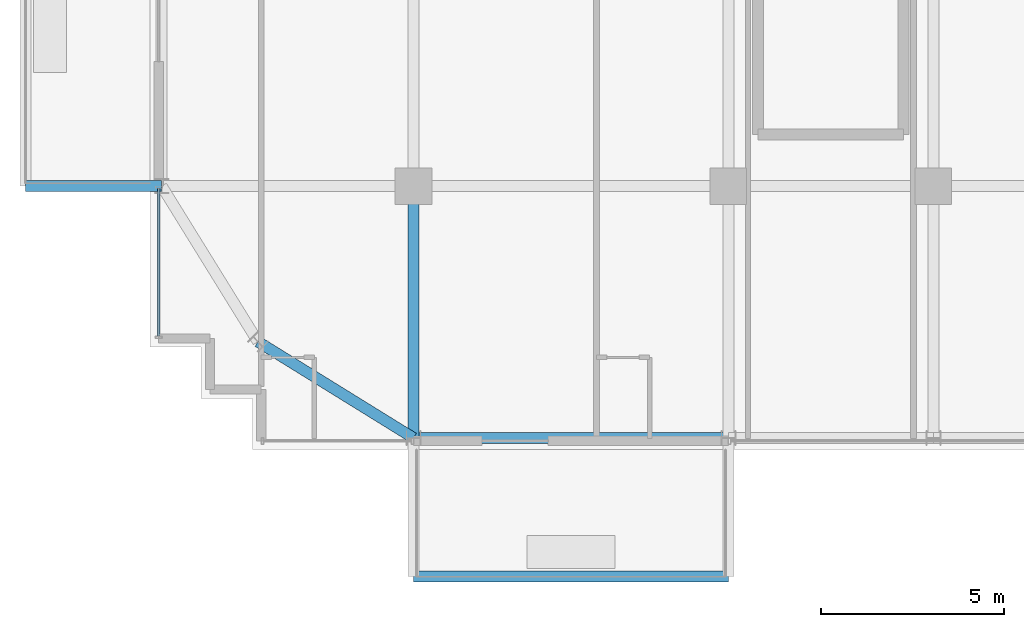
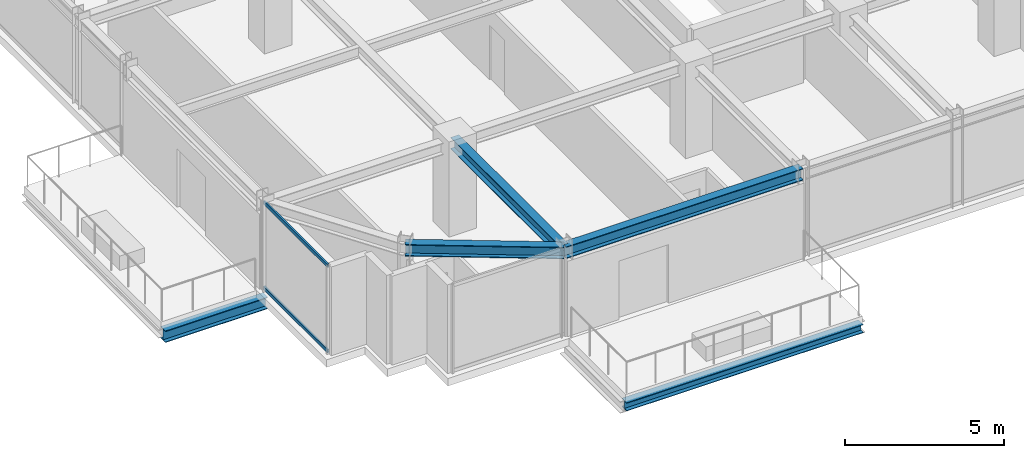
# One storey, part 4 of 35: 5 beams, 2 members, 1 element without a shape of its own.
"""IFC4 building model written with IfcOpenShell, lengths in metres."""

from ifc_helpers import new_model, si_unit, direction, frame, origin, origin_2d, place, context, subcontext, project, spatial, hollow_rectangle, i_section, extrude, source, transform, mapped, material, material_profile, profile_set, type_object, element, aggregate, save


model = new_model("IFC4")

# Units and contexts
model_context = context("Model", 3, precision=1e-05, world=origin(), true_north=direction((0.0, 1.0)))
body_context = subcontext(model_context, "Body", "Model", "MODEL_VIEW")
ifc_project = project(units=[si_unit("LENGTHUNIT", "METRE"), si_unit("AREAUNIT", "SQUARE_METRE"), si_unit("VOLUMEUNIT", "CUBIC_METRE"), si_unit("PLANEANGLEUNIT", "RADIAN"), si_unit("MASSUNIT", "GRAM", prefix="KILO")], contexts=[model_context])

# Site, building, storey
site_placement = place(None, origin())
site = spatial("IfcSite", under=ifc_project, at=site_placement, CompositionType="ELEMENT")
building_placement = place(site_placement, origin())
building = spatial("IfcBuilding", under=site, at=building_placement, Name="Nahalor Promenade Grand Hotel", CompositionType="ELEMENT")
storey_placement = place(building_placement, frame((0.0, 0.0, 216.0)))
storey = spatial("IfcBuildingStorey", under=building, at=storey_placement, Name="L55", CompositionType="ELEMENT", Elevation=216.0)

# Beams
ifc_material_1 = material(Name="Steel S355JR", Category="steel")
ifc_material_profile_1 = material_profile(ifc_material_1, i_section(OverallWidth=0.3, OverallDepth=0.32, WebThickness=0.0115, FlangeThickness=0.0205, at=origin_2d()), Name="HEB 320")
ifc_profile_set_1 = profile_set([ifc_material_profile_1], Name="Steel S355JR")
beam_type_1 = type_object("IfcBeamType", Name="Beam-BalcEdge-HEB320", PredefinedType="SPANDREL", material=ifc_profile_set_1)
shared_shape_1 = source(origin(), body_context, "Body", "SweptSolid", [
    extrude(i_section(OverallWidth=0.3, OverallDepth=0.32, WebThickness=0.0115, FlangeThickness=0.0205, at=origin_2d()), origin(), (0.0, 0.0, 1.0), 8.60009765625),
])
beam_1_placement = place(storey_placement, frame((-17.0, -27.669921875, -0.43994140625), z_axis=(1.0, 0.0, 0.0), x_axis=(0.0, 1.0, 0.0)))
element("IfcBeam", 1, at=beam_1_placement, inside=storey, type_object=beam_type_1, Name="BM-L55-BC-01-F", PredefinedType="SPANDREL", context=body_context, shape_type="MappedRepresentation", body=[
    mapped(shared_shape_1, transform((0.0, 0.0, 0.0), scale=1.0)),
])
ifc_material_profile_2 = material_profile(ifc_material_1, i_section(OverallWidth=0.3, OverallDepth=0.45, WebThickness=0.014, FlangeThickness=0.026, at=origin_2d()), Name="HEB 450")
ifc_profile_set_2 = profile_set([ifc_material_profile_2], Name="Steel S355JR")
beam_type_2 = type_object("IfcBeamType", Name="Beam-Outrigger-HEB450", PredefinedType="BEAM", material=ifc_profile_set_2)
shared_shape_2 = source(origin(), body_context, "Body", "SweptSolid", [
    extrude(i_section(OverallWidth=0.3, OverallDepth=0.45, WebThickness=0.014, FlangeThickness=0.026, at=origin_2d()), origin(), (0.0, 0.0, 1.0), 3.72021484375),
])
beam_2_placement = place(storey_placement, frame((-27.60009765625, -17.0, -0.5048828125), z_axis=(1.0, 0.0, 0.0), x_axis=(0.0, 1.0, 0.0)))
element("IfcBeam", 2, at=beam_2_placement, inside=storey, type_object=beam_type_2, Name="BM-L55-BC-02-1", PredefinedType="BEAM", context=body_context, shape_type="MappedRepresentation", body=[
    mapped(shared_shape_2, transform((0.0, 0.0, 0.0), scale=1.0)),
])
ifc_material_profile_3 = material_profile(ifc_material_1, i_section(OverallWidth=0.3, OverallDepth=0.45, WebThickness=0.014, FlangeThickness=0.026, at=origin_2d()), Name="HEB 450")
ifc_profile_set_3 = profile_set([ifc_material_profile_3], Name="Steel S355JR")
beam_type_3 = type_object("IfcBeamType", Name="Beam-Spandrel-HEB450", PredefinedType="SPANDREL", material=ifc_profile_set_3)
shared_shape_3 = source(origin(), body_context, "Body", "SweptSolid", [
    extrude(i_section(OverallWidth=0.3, OverallDepth=0.45, WebThickness=0.014, FlangeThickness=0.026, at=origin_2d()), origin(), (0.0, 0.0, 1.0), 8.60009765625),
])
beam_3_placement = place(storey_placement, frame((-17.0, -23.8798828125, 3.18505859375), z_axis=(1.0, 0.0, 0.0), x_axis=(0.0, 1.0, 0.0)))
element("IfcBeam", 3, at=beam_3_placement, inside=storey, type_object=beam_type_3, Name="BM-L55-SP-S-0", PredefinedType="SPANDREL", context=body_context, shape_type="MappedRepresentation", body=[
    mapped(shared_shape_3, transform((0.0, 0.0, 0.0), scale=1.0)),
])
shared_shape_4 = source(origin(), body_context, "Body", "SweptSolid", [
    extrude(i_section(OverallWidth=0.3, OverallDepth=0.45, WebThickness=0.014, FlangeThickness=0.026, at=origin_2d()), origin(), (0.0, 0.0, 1.0), 4.997802734375),
])
beam_4_placement = place(storey_placement, frame((-17.0, -23.8798828125, 3.18505859375), z_axis=(-0.850360908404, 0.526199891161, 0.0), x_axis=(-0.526199891161, -0.850360908404, 0.0)))
element("IfcBeam", 4, at=beam_4_placement, inside=storey, type_object=beam_type_3, Name="BM-L55-SPC-SW-1", PredefinedType="SPANDREL", context=body_context, shape_type="MappedRepresentation", body=[
    mapped(shared_shape_4, transform((0.0, 0.0, 0.0), scale=1.0)),
])
ifc_material_profile_4 = material_profile(ifc_material_1, i_section(OverallWidth=0.3, OverallDepth=0.45, WebThickness=0.014, FlangeThickness=0.026, at=origin_2d()), Name="HEB 450")
ifc_profile_set_4 = profile_set([ifc_material_profile_4], Name="Steel S355JR")
beam_type_4 = type_object("IfcBeamType", Name="Beam-Girder-HEB450", PredefinedType="BEAM", material=ifc_profile_set_4)
shared_shape_5 = source(origin(), body_context, "Body", "SweptSolid", [
    extrude(i_section(OverallWidth=0.3, OverallDepth=0.45, WebThickness=0.014, FlangeThickness=0.026, at=origin_2d()), origin(), (0.0, 0.0, 1.0), 6.8798828125),
])
beam_5_placement = place(storey_placement, frame((-17.0, -23.8798828125, 3.18505859375), z_axis=(0.0, 1.0, 0.0), x_axis=(-1.0, 0.0, 0.0)))
element("IfcBeam", 5, at=beam_5_placement, inside=storey, type_object=beam_type_4, Name="BM-L55-GY-0-0", PredefinedType="BEAM", context=body_context, shape_type="MappedRepresentation", body=[
    mapped(shared_shape_5, transform((0.0, 0.0, 0.0), scale=1.0)),
])

# Curtain wall, members
ifc_material_2 = material(Name="Anodised Bronze Aluminium EN AW-6063 T6", Category="aluminium")
curtain_wall_type = type_object("IfcCurtainWallType", Name="CW2 Typical Hotel Flush Bronze Unitised Curtain Wall", PredefinedType="USERDEFINED", material=ifc_material_2)
curtain_wall_placement = place(storey_placement, origin())
curtain_wall = element("IfcCurtainWall", 6, at=curtain_wall_placement, inside=storey, type_object=curtain_wall_type, Name="L55 Curtain Wall CW-L55-W-1", ObjectType="UNITISED_CURTAIN_WALL", PredefinedType="USERDEFINED")
ifc_material_profile_5 = material_profile(ifc_material_2, hollow_rectangle(XDim=0.065, YDim=0.13, WallThickness=0.004, at=origin_2d()), Name="CWT 65x130x4")
ifc_profile_set_5 = profile_set([ifc_material_profile_5], Name="Anodised Bronze Aluminium EN AW-6063 T6")
member_type = type_object("IfcMemberType", Name="CWT2 Typical Bronze Transom 65x130", PredefinedType="USERDEFINED", material=ifc_profile_set_5)
shared_shape_6 = source(origin(), body_context, "Body", "SweptSolid", [
    extrude(hollow_rectangle(XDim=0.065, YDim=0.13, WallThickness=0.004, at=origin_2d()), origin(), (0.0, 0.0, 1.0), 4.030029296875),
])
member_1_placement = place(storey_placement, frame((-23.9599609375, -21.094970703125, 0.06494140625), z_axis=(0.0, 1.0, 0.0), x_axis=(-1.0, 0.0, 0.0)))
member_1 = element("IfcMember", 7, at=member_1_placement, type_object=member_type, Name="CW-L55-W-1 Transom 0-0", ObjectType="TRANSOM", PredefinedType="USERDEFINED", context=body_context, shape_type="MappedRepresentation", body=[
    mapped(shared_shape_6, transform((0.0, 0.0, 0.0), scale=1.0)),
])
member_2_placement = place(storey_placement, frame((-23.9599609375, -21.094970703125, 3.344970703125), z_axis=(0.0, 1.0, 0.0), x_axis=(-1.0, 0.0, 0.0)))
member_2 = element("IfcMember", 8, at=member_2_placement, type_object=member_type, Name="CW-L55-W-1 Transom 0-1", ObjectType="TRANSOM", PredefinedType="USERDEFINED", context=body_context, shape_type="MappedRepresentation", body=[
    mapped(shared_shape_6, transform((0.0, 0.0, 0.0), scale=1.0)),
])
aggregate(curtain_wall, [member_1, member_2])

save(model, "model.ifc")
